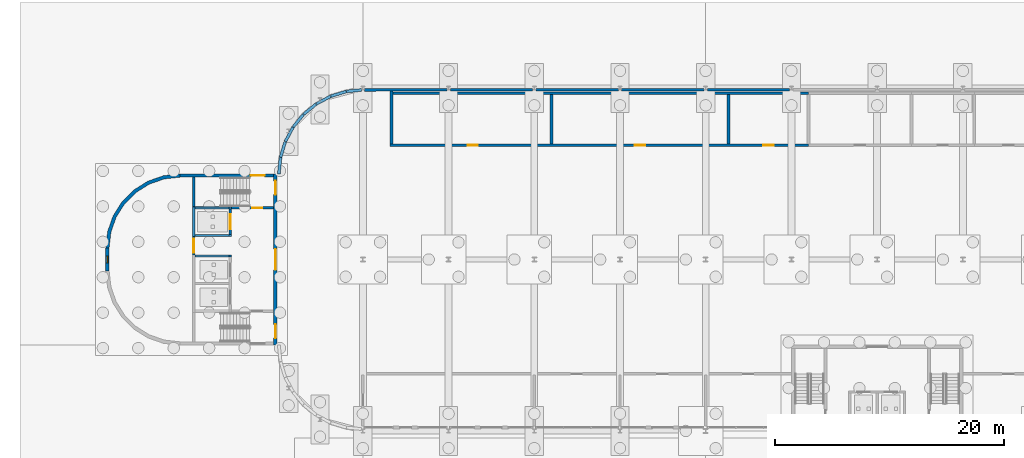
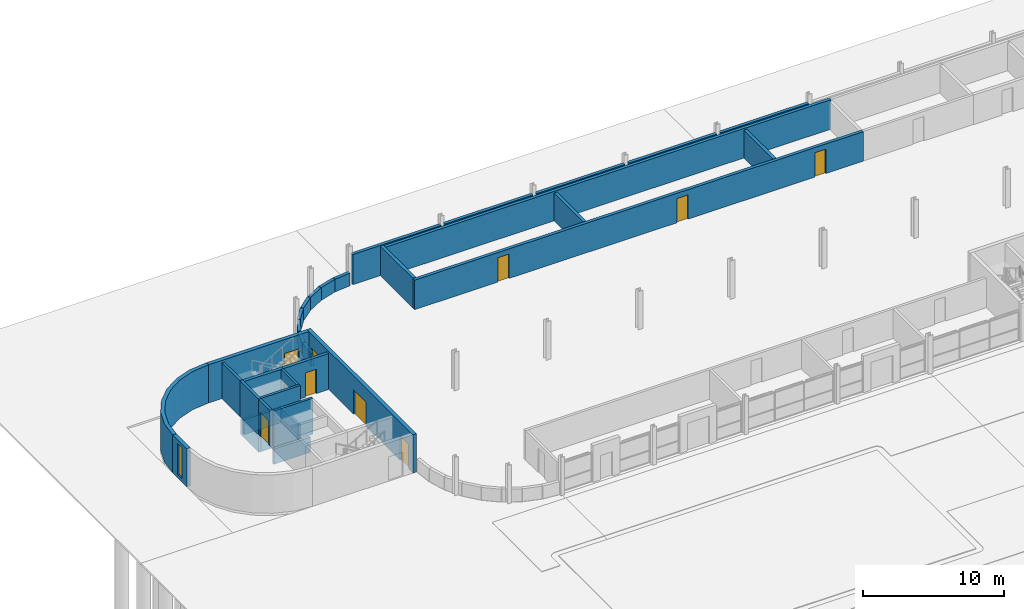
# One storey, part 93 of 130: 35 walls, 10 doors, 1 window, 11 openings.
"""IFC4 building model written with IfcOpenShell, lengths in metres."""

import ifcopenshell
import ifcopenshell.guid

model = None  # the IFC model being written
_history = None  # IfcOwnerHistory: only IFC2X3 demands one
_inside = {}  # id of a spatial element -> (the spatial element, [elements in it])
_under = {}  # id of a project, library or spatial element -> (it, [spatial elements below it])
_declared = {}  # id of a project -> (the project, [libraries it declares])
_typed = {}  # id of a type object -> (the type object, [elements of that type])
_made_of = {}  # id of a material, layer set ... -> (it, [elements and type objects made of it])


def new_model(schema):
    """Start an empty IFC model of exactly this schema.

    Asked for "IFC4X3", IfcOpenShell would pick the latest addendum, in which some entities
    have other attributes; the version numbers below select the first issue.
    IFC2X3 requires an IfcOwnerHistory on every rooted entity: one is made here for all.
    """
    global model, _history
    if schema == "IFC4X3":
        model = ifcopenshell.file(schema_version=(4, 3, 0, 0))
    else:
        model = ifcopenshell.file(schema=schema)
    _inside.clear()
    _under.clear()
    _declared.clear()
    _typed.clear()
    _made_of.clear()
    _history = None
    if model.schema == "IFC2X3":
        org = make("IfcOrganization", Name="unknown")
        user = make(
            "IfcPersonAndOrganization",
            ThePerson=make("IfcPerson", FamilyName="unknown"),
            TheOrganization=org,
        )
        app = make(
            "IfcApplication",
            ApplicationDeveloper=org,
            Version="unknown",
            ApplicationFullName="unknown",
            ApplicationIdentifier="unknown",
        )
        _history = make(
            "IfcOwnerHistory",
            OwningUser=user,
            OwningApplication=app,
            ChangeAction="ADDED",
            CreationDate=0,
        )
    return model


def make(cls, **values):
    """One entity of the class cls with the attributes given. An attribute that is None is left unset."""
    return model.create_entity(
        cls, **{name: value for name, value in values.items() if value is not None}
    )


def rooted(cls, **values):
    """An entity with a GlobalId (a new one), such as an element, a storey or a relation."""
    return make(cls, GlobalId=ifcopenshell.guid.new(), OwnerHistory=_history, **values)


def si_unit(unit_type, name, prefix=None):
    """IfcSIUnit, for example si_unit("LENGTHUNIT", "METRE", prefix="MILLI")."""
    return make("IfcSIUnit", UnitType=unit_type, Prefix=prefix, Name=name)


def assignment(units):
    """IfcUnitAssignment: the units of a project."""
    return None if units is None else make("IfcUnitAssignment", Units=units)


def point(xyz):
    """IfcCartesianPoint."""
    return None if xyz is None else make("IfcCartesianPoint", Coordinates=xyz)


def direction(xyz):
    """IfcDirection."""
    return None if xyz is None else make("IfcDirection", DirectionRatios=xyz)


def frame(location, z_axis=None, x_axis=None):
    """IfcAxis2Placement3D, a coordinate frame: its origin and axes. An axis left out is left unset."""
    return make(
        "IfcAxis2Placement3D",
        Location=point(location),
        Axis=direction(z_axis),
        RefDirection=direction(x_axis),
    )


def frame_2d(location, x_axis=None):
    """IfcAxis2Placement2D, a coordinate frame in the plane: its origin and x axis."""
    return make(
        "IfcAxis2Placement2D", Location=point(location), RefDirection=direction(x_axis)
    )


def origin():
    """The frame at (0, 0, 0) with its axes left unset."""
    return frame((0.0, 0.0, 0.0))


def place(relative_to, where):
    """IfcLocalPlacement: puts the frame where relative to a parent placement (None: the world)."""
    return make(
        "IfcLocalPlacement", PlacementRelTo=relative_to, RelativePlacement=where
    )


def context(
    kind, dimensions, precision=None, world=None, true_north=None, identifier=None
):
    """IfcGeometricRepresentationContext, for example the 3D "Model" context."""
    return make(
        "IfcGeometricRepresentationContext",
        ContextIdentifier=identifier,
        ContextType=kind,
        CoordinateSpaceDimension=dimensions,
        Precision=precision,
        WorldCoordinateSystem=world,
        TrueNorth=true_north,
    )


def subcontext(parent, identifier, kind, view, scale=None):
    """IfcGeometricRepresentationSubContext, for example "Body" below "Model"."""
    return make(
        "IfcGeometricRepresentationSubContext",
        ContextIdentifier=identifier,
        ContextType=kind,
        ParentContext=parent,
        TargetScale=scale,
        TargetView=view,
    )


def project(units=None, contexts=None):
    """IfcProject with its units and contexts."""
    return rooted(
        "IfcProject",
        Name="project",
        RepresentationContexts=contexts,
        UnitsInContext=assignment(units),
    )


def spatial(cls, under=None, at=None, **own):
    """A site, building, storey or space (cls), placed at a placement, below another one or the project."""
    s = rooted(cls, ObjectPlacement=at, **own)
    if under is not None:
        _under.setdefault(under.id(), (under, []))[1].append(s)
    return s


def polyline(points):
    """IfcPolyline through the points."""
    return make("IfcPolyline", Points=[point(p) for p in points])


def profile(cls, at=None, kind="AREA", **sizes):
    """A parametric profile (cls). Its sizes go by their IFC names, for example OverallWidth=200.0."""
    return make(cls, ProfileType=kind, Position=at, **sizes)


def rectangle(**sizes):
    """IfcRectangleProfileDef."""
    return profile("IfcRectangleProfileDef", **sizes)


def outline(outer, holes=None, kind="AREA"):
    """IfcArbitraryClosedProfileDef: a profile drawn as a closed curve; with holes, ...WithVoids."""
    if holes is None:
        return make("IfcArbitraryClosedProfileDef", ProfileType=kind, OuterCurve=outer)
    return make(
        "IfcArbitraryProfileDefWithVoids",
        ProfileType=kind,
        OuterCurve=outer,
        InnerCurves=holes,
    )


def extrude(swept, where, along, depth):
    """IfcExtrudedAreaSolid: the profile swept, set in the frame where, extruded along a direction by depth."""
    return make(
        "IfcExtrudedAreaSolid",
        SweptArea=swept,
        Position=where,
        ExtrudedDirection=direction(along),
        Depth=depth,
    )


def shape(context_of_items, identifier, shape_type, items):
    """IfcShapeRepresentation: the items that make up one representation, for example the "Body"."""
    return make(
        "IfcShapeRepresentation",
        ContextOfItems=context_of_items,
        RepresentationIdentifier=identifier,
        RepresentationType=shape_type,
        Items=items,
    )


def material(Name=None, Category=None):
    """IfcMaterial."""
    return make("IfcMaterial", Name=Name, Category=Category)


def layer(
    of_material, thickness, ventilated=None, Name=None, Category=None, Priority=None
):
    """IfcMaterialLayer: one layer of a wall or slab, of a material (None: an air gap)."""
    return make(
        "IfcMaterialLayer",
        Material=of_material,
        LayerThickness=thickness,
        IsVentilated=ventilated,
        Name=Name,
        Category=Category,
        Priority=Priority,
    )


def layer_set(layers, Name=None):
    """IfcMaterialLayerSet."""
    return make("IfcMaterialLayerSet", MaterialLayers=layers, LayerSetName=Name)


def made_of(thing, what):
    """Note that an element or type object is made of a material, layer set ...; save() writes the relation."""
    if what is not None:
        _made_of.setdefault(what.id(), (what, []))[1].append(thing)
    return thing


def type_object(cls, material=None, **own):
    """A type object (cls), such as IfcWallType, which elements share."""
    return made_of(rooted(cls, **own), material)


def element(
    cls,
    number,
    at=None,
    inside=None,
    cuts=None,
    type_object=None,
    material=None,
    context=None,
    identifier="Body",
    shape_type=None,
    held_by="IfcProductDefinitionShape",
    body=None,
    shapes=None,
    **own,
):
    """One element of the class cls, such as IfcWall. Its Tag is "e" and its number.

    at: its placement. inside: the storey or other place that contains it. cuts: it is an
    opening in that element (IfcRelVoidsElement). A single representation is given by context,
    identifier, shape_type and body (its items); several are given by shapes. held_by: the class
    of the entity that holds the representations. save() writes the other relations.
    """
    e = rooted(cls, Tag="e%d" % number, ObjectPlacement=at, **own)
    if body is not None:
        shapes = [shape(context, identifier, shape_type, body)]
    if shapes is not None:
        e.Representation = make(held_by, Representations=shapes)
    if inside is not None:
        _inside.setdefault(inside.id(), (inside, []))[1].append(e)
    if cuts is not None:
        rooted(
            "IfcRelVoidsElement", RelatingBuildingElement=cuts, RelatedOpeningElement=e
        )
    if type_object is not None:
        _typed.setdefault(type_object.id(), (type_object, []))[1].append(e)
    return made_of(e, material)


def fill(opening, filler):
    """IfcRelFillsElement: the door or window that sits in an opening."""
    return rooted(
        "IfcRelFillsElement",
        RelatingOpeningElement=opening,
        RelatedBuildingElement=filler,
    )


def aggregate(whole, parts):
    """IfcRelAggregates: a whole, such as a stair, and the parts it consists of."""
    return rooted("IfcRelAggregates", RelatingObject=whole, RelatedObjects=parts)


def save(model, path):
    """Write the relations noted so far, then the file.

    IfcRelAggregates (storeys below a building ...), IfcRelContainedInSpatialStructure (elements
    in a storey), IfcRelDefinesByType, IfcRelAssociatesMaterial and IfcRelDeclares: one each for
    every whole, place, type object, material and project.
    """
    for whole, parts in _under.values():
        aggregate(whole, parts)
    for where, things in _inside.values():
        rooted(
            "IfcRelContainedInSpatialStructure",
            RelatedElements=things,
            RelatingStructure=where,
        )
    for kind, things in _typed.values():
        rooted("IfcRelDefinesByType", RelatedObjects=things, RelatingType=kind)
    for what, things in _made_of.values():
        rooted("IfcRelAssociatesMaterial", RelatedObjects=things, RelatingMaterial=what)
    for by, libraries in _declared.values():
        rooted("IfcRelDeclares", RelatingContext=by, RelatedDefinitions=libraries)
    model.write(path)


model = new_model("IFC4")

# Units and contexts
model_context = context("Model", 3, precision=1e-05, world=origin(), true_north=direction((0.0, 1.0)))
body_context = subcontext(model_context, "Body", "Model", "MODEL_VIEW")
ifc_project = project(units=[si_unit("LENGTHUNIT", "METRE"), si_unit("AREAUNIT", "SQUARE_METRE"), si_unit("VOLUMEUNIT", "CUBIC_METRE"), si_unit("PLANEANGLEUNIT", "RADIAN"), si_unit("MASSUNIT", "GRAM", prefix="KILO")], contexts=[model_context])

# Site, building, storey
site_placement = place(None, origin())
site = spatial("IfcSite", under=ifc_project, at=site_placement, CompositionType="ELEMENT")
building_placement = place(site_placement, origin())
building = spatial("IfcBuilding", under=site, at=building_placement, Name="Parallax Yard Mobility Hub", CompositionType="ELEMENT")
storey_placement = place(building_placement, origin())
storey = spatial("IfcBuildingStorey", under=building, at=storey_placement, Name="L00", CompositionType="ELEMENT", Elevation=0.0)

# Wall, openings, doors
ifc_material_1 = material(Name="Concrete fc' 35 MPa", Category="concrete")
ifc_layer_1 = layer(ifc_material_1, 0.300048828125)
ifc_layer_set_1 = layer_set([ifc_layer_1], Name="Concrete fc' 35 MPa core wall 300")
wall_type_1 = type_object("IfcWallType", Name="Concrete fc' 35 MPa core wall 300", PredefinedType="SHEAR", material=ifc_layer_set_1)
wall_1_placement = place(storey_placement, frame((22.35009765625, 135.0, 0.0), z_axis=(0.0, 0.0, 1.0), x_axis=(0.0, -1.0, 0.0)))
wall_1 = element("IfcWall", 1, at=wall_1_placement, inside=storey, type_object=wall_type_1, Name="Core C-W entry wall level L00", PredefinedType="SHEAR", context=body_context, shape_type="SweptSolid", body=[
    extrude(rectangle(XDim=15.0, YDim=0.300048828125, at=frame_2d((7.5, 0.0))), origin(), (0.0, 0.0, 1.0), 3.300048828125),
])
opening_1_placement = place(wall_1_placement, frame((13.179931640625, 0.0, 0.0)))
opening_1 = element("IfcOpeningElement", 2, at=opening_1_placement, cuts=wall_1, Name="Opening L00-D700", PredefinedType="OPENING", context=body_context, shape_type="SweptSolid", body=[
    extrude(rectangle(XDim=1.199951171875, YDim=2.10009765625, at=frame_2d((0.60009765625, 1.050048828125))), frame((0.0, 0.16015625, 0.0), z_axis=(0.0, -1.0, 0.0), x_axis=(1.0, 0.0, 0.0)), (0.0, 0.0, 1.0), 0.320068359375),
])
opening_2_placement = place(wall_1_placement, frame((0.6201171875, 0.0, 0.0)))
opening_2 = element("IfcOpeningElement", 3, at=opening_2_placement, cuts=wall_1, Name="Opening L00-D701", PredefinedType="OPENING", context=body_context, shape_type="SweptSolid", body=[
    extrude(rectangle(XDim=1.199951171875, YDim=2.10009765625, at=frame_2d((0.60009765625, 1.050048828125))), frame((0.0, 0.16015625, 0.0), z_axis=(0.0, -1.0, 0.0), x_axis=(1.0, 0.0, 0.0)), (0.0, 0.0, 1.0), 0.320068359375),
])
opening_3_placement = place(wall_1_placement, frame((6.60009765625, 0.0, 0.0)))
opening_3 = element("IfcOpeningElement", 4, at=opening_3_placement, cuts=wall_1, Name="Opening L00-D702", PredefinedType="OPENING", context=body_context, shape_type="SweptSolid", body=[
    extrude(rectangle(XDim=1.800048828125, YDim=2.10009765625, at=frame_2d((0.89990234375, 1.050048828125))), frame((0.0, 0.16015625, 0.0), z_axis=(0.0, -1.0, 0.0), x_axis=(1.0, 0.0, 0.0)), (0.0, 0.0, 1.0), 0.320068359375),
])
ifc_material_2 = material(Name="Hollow metal steel door and frame", Category="steel")
door_type_1 = type_object("IfcDoorType", Name="Core door 1200 x 2100 FD90", OperationType="NOTDEFINED", PredefinedType="DOOR", material=ifc_material_2)
door_1_placement = place(opening_1_placement, origin())
door_1 = element("IfcDoor", 5, at=door_1_placement, inside=storey, type_object=door_type_1, Name="Stair deck door L00-D700, core C-W level L00", OperationType="SINGLE_SWING_RIGHT", OverallHeight=2.10009765625, OverallWidth=1.199951171875, PredefinedType="DOOR", context=body_context, shape_type="SweptSolid", body=[
    extrude(rectangle(XDim=1.199951171875, YDim=2.10009765625, at=frame_2d((0.60009765625, 1.050048828125))), frame((0.0, 0.02490234375, 0.0), z_axis=(0.0, -1.0, 0.0), x_axis=(1.0, 0.0, 0.0)), (0.0, 0.0, 1.0), 0.050048828125),
])
fill(opening_1, door_1)
door_2_placement = place(opening_2_placement, origin())
door_2 = element("IfcDoor", 6, at=door_2_placement, inside=storey, type_object=door_type_1, Name="Stair deck door L00-D701, core C-W level L00", OperationType="SINGLE_SWING_LEFT", OverallHeight=2.10009765625, OverallWidth=1.199951171875, PredefinedType="DOOR", context=body_context, shape_type="SweptSolid", body=[
    extrude(rectangle(XDim=1.199951171875, YDim=2.10009765625, at=frame_2d((0.60009765625, 1.050048828125))), frame((0.0, 0.02490234375, 0.0), z_axis=(0.0, -1.0, 0.0), x_axis=(1.0, 0.0, 0.0)), (0.0, 0.0, 1.0), 0.050048828125),
])
fill(opening_2, door_2)
door_type_2 = type_object("IfcDoorType", Name="Core double door 1800 x 2100 FD90", OperationType="NOTDEFINED", PredefinedType="DOOR", material=ifc_material_2)
door_3_placement = place(opening_3_placement, origin())
door_3 = element("IfcDoor", 7, at=door_3_placement, inside=storey, type_object=door_type_2, Name="Lift lobby door L00-D702, core C-W level L00", OperationType="DOUBLE_DOOR_SINGLE_SWING", OverallHeight=2.10009765625, OverallWidth=1.800048828125, PredefinedType="DOOR", context=body_context, shape_type="SweptSolid", body=[
    extrude(rectangle(XDim=1.800048828125, YDim=2.10009765625, at=frame_2d((0.89990234375, 1.050048828125))), frame((0.0, 0.02490234375, 0.0), z_axis=(0.0, -1.0, 0.0), x_axis=(1.0, 0.0, 0.0)), (0.0, 0.0, 1.0), 0.050048828125),
])
fill(opening_3, door_3)

# Wall, opening, window
wall_2_placement = place(storey_placement, frame((7.64990234375, 126.5, 0.0), z_axis=(0.0, 0.0, 1.0), x_axis=(0.0, 1.0, 0.0)))
wall_2 = element("IfcWall", 8, at=wall_2_placement, inside=storey, type_object=wall_type_1, Name="Core C-W back wall level L00", PredefinedType="SHEAR", context=body_context, shape_type="SweptSolid", body=[
    extrude(rectangle(XDim=2.0, YDim=0.300048828125, at=frame_2d((1.0, 0.0))), origin(), (0.0, 0.0, 1.0), 3.300048828125),
])
opening_4_placement = place(wall_2_placement, frame((0.699951171875, 0.0, 0.300048828125)))
opening_4 = element("IfcOpeningElement", 9, at=opening_4_placement, cuts=wall_2, Name="Opening CW-S1", PredefinedType="OPENING", context=body_context, shape_type="SweptSolid", body=[
    extrude(rectangle(XDim=0.60009765625, YDim=2.699951171875, at=frame_2d((0.300048828125, 1.35009765625))), frame((0.0, 0.16015625, 0.0), z_axis=(0.0, -1.0, 0.0), x_axis=(1.0, 0.0, 0.0)), (0.0, 0.0, 1.0), 0.320068359375),
])
ifc_material_3 = material(Name="Fire-resisting glazing in a steel frame", Category="steel")
window_type = type_object("IfcWindowType", Name="Core slot window 600 x 2700", PartitioningType="SINGLE_PANEL", PredefinedType="WINDOW", material=ifc_material_3)
window_placement = place(opening_4_placement, origin())
window = element("IfcWindow", 10, at=window_placement, inside=storey, type_object=window_type, Name="Glazed slot 1, core C-W level L00", OverallHeight=2.699951171875, OverallWidth=0.60009765625, PartitioningType="SINGLE_PANEL", PredefinedType="WINDOW", context=body_context, shape_type="SweptSolid", body=[
    extrude(rectangle(XDim=0.60009765625, YDim=2.699951171875, at=frame_2d((0.300048828125, 1.35009765625))), frame((0.0, 0.030029296875, 0.0), z_axis=(0.0, -1.0, 0.0), x_axis=(1.0, 0.0, 0.0)), (0.0, 0.0, 1.0), 0.06005859375),
])
fill(opening_4, window)

# Wall, opening, door
wall_3_placement = place(storey_placement, frame((14.0, 134.85009765625, 0.0), z_axis=(0.0, 0.0, 1.0), x_axis=(1.0, 0.0, 0.0)))
wall_3 = element("IfcWall", 11, at=wall_3_placement, inside=storey, type_object=wall_type_1, Name="Core C-W east-side end wall level L00", PredefinedType="SHEAR", context=body_context, shape_type="SweptSolid", body=[
    extrude(rectangle(XDim=8.199951171875, YDim=0.300048828125, at=frame_2d((4.10009765625, 0.0))), origin(), (0.0, 0.0, 1.0), 3.300048828125),
])
opening_5_placement = place(wall_3_placement, frame((6.199951171875, 0.0, 0.0)))
opening_5 = element("IfcOpeningElement", 12, at=opening_5_placement, cuts=wall_3, Name="Opening L00-D710", PredefinedType="OPENING", context=body_context, shape_type="SweptSolid", body=[
    extrude(rectangle(XDim=1.199951171875, YDim=2.10009765625, at=frame_2d((0.60009765625, 1.050048828125))), frame((0.0, 0.16015625, 0.0), z_axis=(0.0, -1.0, 0.0), x_axis=(1.0, 0.0, 0.0)), (0.0, 0.0, 1.0), 0.320068359375),
])
door_4_placement = place(opening_5_placement, origin())
door_4 = element("IfcDoor", 13, at=door_4_placement, inside=storey, type_object=door_type_1, Name="Stair exit door L00-D710, core C-W level L00", OperationType="SINGLE_SWING_RIGHT", OverallHeight=2.10009765625, OverallWidth=1.199951171875, PredefinedType="DOOR", context=body_context, shape_type="SweptSolid", body=[
    extrude(rectangle(XDim=1.199951171875, YDim=2.10009765625, at=frame_2d((0.60009765625, 1.050048828125))), frame((0.0, 0.02490234375, 0.0), z_axis=(0.0, -1.0, 0.0), x_axis=(1.0, 0.0, 0.0)), (0.0, 0.0, 1.0), 0.050048828125),
])
fill(opening_5, door_4)

# Wall
wall_4_placement = place(storey_placement, origin())
element("IfcWall", 14, at=wall_4_placement, inside=storey, type_object=wall_type_1, Name="Core C-W rounded corner east level L00", PredefinedType="SHEAR", context=body_context, shape_type="SweptSolid", body=[
    extrude(outline(polyline([(14.0, 135.0), (12.5537109375, 134.8369140625), (11.1796875, 134.356201171875), (9.947265625, 133.581787109375), (8.918212890625, 132.552734375), (8.143798828125, 131.3203125), (7.6630859375, 129.9462890625), (7.5, 128.5), (7.800048828125, 128.5), (7.955322265625, 129.879638671875), (8.4140625, 131.190185546875), (9.152587890625, 132.365478515625), (10.134521484375, 133.347412109375), (11.309814453125, 134.0859375), (12.620361328125, 134.544677734375), (14.0, 134.699951171875), (14.0, 135.0)])), origin(), (0.0, 0.0, 1.0), 3.300048828125),
])

# Wall, opening, door
ifc_layer_2 = layer(ifc_material_1, 0.199951171875)
ifc_layer_set_2 = layer_set([ifc_layer_2], Name="Concrete fc' 35 MPa internal core wall 200")
wall_type_2 = type_object("IfcWallType", Name="Concrete fc' 35 MPa internal core wall 200", PredefinedType="STANDARD", material=ifc_layer_set_2)
wall_5_placement = place(storey_placement, frame((18.39990234375, 129.699951171875, 0.0), z_axis=(0.0, 0.0, 1.0), x_axis=(0.0, 1.0, 0.0)))
wall_5 = element("IfcWall", 15, at=wall_5_placement, inside=storey, type_object=wall_type_2, Name="Core C-W lift front 2 part 2 level L00", PredefinedType="STANDARD", context=body_context, shape_type="SweptSolid", body=[
    extrude(rectangle(XDim=2.199951171875, YDim=0.199951171875, at=frame_2d((1.10009765625, 0.0))), origin(), (0.0, 0.0, 1.0), 3.10009765625),
])
opening_6_placement = place(wall_5_placement, frame((0.449951171875, 0.0, 0.0)))
opening_6 = element("IfcOpeningElement", 16, at=opening_6_placement, cuts=wall_5, Name="Opening L00-D707", PredefinedType="OPENING", context=body_context, shape_type="SweptSolid", body=[
    extrude(rectangle(XDim=1.300048828125, YDim=2.10009765625, at=frame_2d((0.64990234375, 1.050048828125))), frame((0.0, 0.10986328125, 0.0), z_axis=(0.0, -1.0, 0.0), x_axis=(1.0, 0.0, 0.0)), (0.0, 0.0, 1.0), 0.219970703125),
])
ifc_material_4 = material(Name="Stainless steel sliding door and frame", Category="steel")
door_type_3 = type_object("IfcDoorType", Name="Goods lift landing door 1300 x 2100 FD90", OperationType="DOUBLE_DOOR_SLIDING", PredefinedType="DOOR", material=ifc_material_4)
door_5_placement = place(opening_6_placement, origin())
door_5 = element("IfcDoor", 17, at=door_5_placement, inside=storey, type_object=door_type_3, Name="Lift landing door L00-D707, core C-W level L00", OperationType="DOUBLE_DOOR_SLIDING", OverallHeight=2.10009765625, OverallWidth=1.300048828125, PredefinedType="DOOR", context=body_context, shape_type="SweptSolid", body=[
    extrude(rectangle(XDim=1.300048828125, YDim=2.10009765625, at=frame_2d((0.64990234375, 1.050048828125))), frame((0.0, 0.02490234375, 0.0), z_axis=(0.0, -1.0, 0.0), x_axis=(1.0, 0.0, 0.0)), (0.0, 0.0, 1.0), 0.050048828125),
])
fill(opening_6, door_5)

# Walls
for number, where, z_axis, x_axis, name in (
    (18, (18.5, 127.800048828125, 0.0), (0.0, 0.0, 1.0), (-1.0, 0.0, 0.0), "Core C-W lift wall 2 part 2 level L00"),
    (19, (18.5, 129.60009765625, 0.0), (0.0, 0.0, 1.0), (-1.0, 0.0, 0.0), "Core C-W lift wall 3 part 3 level L00"),
):
    element("IfcWall", number, at=place(storey_placement, frame(where, z_axis=z_axis, x_axis=x_axis)), inside=storey, type_object=wall_type_2, Name=name, PredefinedType="STANDARD", context=body_context, shape_type="SweptSolid", body=[
        extrude(rectangle(XDim=3.199951171875, YDim=0.199951171875, at=frame_2d((1.60009765625, 0.0))), origin(), (0.0, 0.0, 1.0), 3.10009765625),
    ])

# Wall, opening, door
wall_6_placement = place(storey_placement, frame((15.199951171875, 127.89990234375, 0.0), z_axis=(0.0, 0.0, 1.0), x_axis=(0.0, 1.0, 0.0)))
wall_6 = element("IfcWall", 20, at=wall_6_placement, inside=storey, type_object=wall_type_2, Name="Core C-W plant wall 3 part 3 level L00", PredefinedType="STANDARD", context=body_context, shape_type="SweptSolid", body=[
    extrude(rectangle(XDim=1.60009765625, YDim=0.199951171875, at=frame_2d((0.800048828125, 0.0))), origin(), (0.0, 0.0, 1.0), 3.10009765625),
])
opening_7_placement = place(wall_6_placement, frame((0.199951171875, 0.0, 0.0)))
opening_7 = element("IfcOpeningElement", 21, at=opening_7_placement, cuts=wall_6, Name="Opening L00-D708", PredefinedType="OPENING", context=body_context, shape_type="SweptSolid", body=[
    extrude(rectangle(XDim=1.199951171875, YDim=2.10009765625, at=frame_2d((0.60009765625, 1.050048828125))), frame((0.0, 0.10986328125, 0.0), z_axis=(0.0, -1.0, 0.0), x_axis=(1.0, 0.0, 0.0)), (0.0, 0.0, 1.0), 0.219970703125),
])
door_6_placement = place(opening_7_placement, origin())
door_6 = element("IfcDoor", 22, at=door_6_placement, inside=storey, type_object=door_type_1, Name="Plant room door L00-D708, core C-W level L00", OperationType="SINGLE_SWING_RIGHT", OverallHeight=2.10009765625, OverallWidth=1.199951171875, PredefinedType="DOOR", context=body_context, shape_type="SweptSolid", body=[
    extrude(rectangle(XDim=1.199951171875, YDim=2.10009765625, at=frame_2d((0.60009765625, 1.050048828125))), frame((0.0, 0.02490234375, 0.0), z_axis=(0.0, -1.0, 0.0), x_axis=(1.0, 0.0, 0.0)), (0.0, 0.0, 1.0), 0.050048828125),
])
fill(opening_7, door_6)

# Walls
wall_7_placement = place(storey_placement, frame((15.199951171875, 129.5, 0.0), z_axis=(0.0, 0.0, 1.0), x_axis=(0.0, 1.0, 0.0)))
element("IfcWall", 23, at=wall_7_placement, inside=storey, type_object=wall_type_2, Name="Core C-W plant wall 4 part 4 level L00", PredefinedType="STANDARD", context=body_context, shape_type="SweptSolid", body=[
    extrude(rectangle(XDim=2.64990234375, YDim=0.199951171875, at=frame_2d((1.324951171875, 0.0))), origin(), (0.0, 0.0, 1.0), 3.10009765625),
])
wall_8_placement = place(storey_placement, frame((15.199951171875, 132.14990234375, 0.0), z_axis=(0.0, 0.0, 1.0), x_axis=(0.0, 1.0, 0.0)))
element("IfcWall", 24, at=wall_8_placement, inside=storey, type_object=wall_type_2, Name="Core C-W plant wall 5 part 5 level L00", PredefinedType="STANDARD", context=body_context, shape_type="SweptSolid", body=[
    extrude(rectangle(XDim=2.550048828125, YDim=0.199951171875, at=frame_2d((1.27490234375, 0.0))), origin(), (0.0, 0.0, 1.0), 3.10009765625),
])
wall_9_placement = place(storey_placement, frame((18.300048828125, 127.800048828125, -1.5), z_axis=(0.0, 0.0, 1.0), x_axis=(-1.0, 0.0, 0.0)))
element("IfcWall", 25, at=wall_9_placement, inside=storey, type_object=wall_type_2, Name="Core C-W lift pit wall side 3 (shaft group 1)", PredefinedType="STANDARD", context=body_context, shape_type="SweptSolid", body=[
    extrude(rectangle(XDim=3.0, YDim=0.199951171875, at=frame_2d((1.5, 0.0))), origin(), (0.0, 0.0, 1.0), 1.300048828125),
])
wall_10_placement = place(storey_placement, frame((18.39990234375, 129.5, -1.5), z_axis=(0.0, 0.0, 1.0), x_axis=(0.0, 1.0, 0.0)))
element("IfcWall", 26, at=wall_10_placement, inside=storey, type_object=wall_type_2, Name="Core C-W lift pit wall front (shaft group 2)", PredefinedType="STANDARD", context=body_context, shape_type="SweptSolid", body=[
    extrude(rectangle(XDim=2.60009765625, YDim=0.199951171875, at=frame_2d((1.300048828125, 0.0))), origin(), (0.0, 0.0, 1.0), 1.300048828125),
])
for number, where, z_axis, x_axis, name in (
    (27, (18.300048828125, 129.60009765625, -1.5), (0.0, 0.0, 1.0), (-1.0, 0.0, 0.0), "Core C-W lift pit wall side 1 (shaft group 2)"),
    (28, (18.300048828125, 132.0, -1.5), (0.0, 0.0, 1.0), (-1.0, 0.0, 0.0), "Core C-W lift pit wall side 2 (shaft group 2)"),
):
    element("IfcWall", number, at=place(storey_placement, frame(where, z_axis=z_axis, x_axis=x_axis)), inside=storey, type_object=wall_type_2, Name=name, PredefinedType="STANDARD", context=body_context, shape_type="SweptSolid", body=[
        extrude(rectangle(XDim=3.0, YDim=0.199951171875, at=frame_2d((1.5, 0.0))), origin(), (0.0, 0.0, 1.0), 1.300048828125),
    ])
wall_11_placement = place(storey_placement, frame((15.199951171875, 129.5, -1.5), z_axis=(0.0, 0.0, 1.0), x_axis=(0.0, 1.0, 0.0)))
element("IfcWall", 29, at=wall_11_placement, inside=storey, type_object=wall_type_2, Name="Core C-W lift pit wall back (shaft group 2)", PredefinedType="STANDARD", context=body_context, shape_type="SweptSolid", body=[
    extrude(rectangle(XDim=2.60009765625, YDim=0.199951171875, at=frame_2d((1.300048828125, 0.0))), origin(), (0.0, 0.0, 1.0), 1.300048828125),
])

# Wall, opening, door
ifc_layer_3 = layer(ifc_material_1, 0.25)
ifc_layer_set_3 = layer_set([ifc_layer_3], Name="Concrete fc' 35 MPa stair enclosure wall 250")
wall_type_3 = type_object("IfcWallType", Name="Concrete fc' 35 MPa stair enclosure wall 250", PredefinedType="STANDARD", material=ifc_layer_set_3)
wall_12_placement = place(storey_placement, frame((18.5, 132.02490234375, 0.0), z_axis=(0.0, 0.0, 1.0), x_axis=(1.0, 0.0, 0.0)))
wall_12 = element("IfcWall", 30, at=wall_12_placement, inside=storey, type_object=wall_type_3, Name="Core C-W stair 2 partition 1 part 1 level L00", PredefinedType="STANDARD", context=body_context, shape_type="SweptSolid", body=[
    extrude(rectangle(XDim=3.699951171875, YDim=0.25, at=frame_2d((1.85009765625, 0.0))), origin(), (0.0, 0.0, 1.0), 3.10009765625),
])
opening_8_placement = place(wall_12_placement, frame((1.800048828125, 0.0, 0.0)))
opening_8 = element("IfcOpeningElement", 31, at=opening_8_placement, cuts=wall_12, Name="Opening L00-D704", PredefinedType="OPENING", context=body_context, shape_type="SweptSolid", body=[
    extrude(rectangle(XDim=0.89990234375, YDim=2.10009765625, at=frame_2d((0.449951171875, 1.050048828125))), frame((0.0, 0.135009765625, 0.0), z_axis=(0.0, -1.0, 0.0), x_axis=(1.0, 0.0, 0.0)), (0.0, 0.0, 1.0), 0.27001953125),
])
door_type_4 = type_object("IfcDoorType", Name="Core door 900 x 2100 FD90", OperationType="NOTDEFINED", PredefinedType="DOOR", material=ifc_material_2)
door_7_placement = place(opening_8_placement, origin())
door_7 = element("IfcDoor", 32, at=door_7_placement, inside=storey, type_object=door_type_4, Name="Stair lobby door L00-D704, core C-W level L00", OperationType="SINGLE_SWING_RIGHT", OverallHeight=2.10009765625, OverallWidth=0.89990234375, PredefinedType="DOOR", context=body_context, shape_type="SweptSolid", body=[
    extrude(rectangle(XDim=0.89990234375, YDim=2.10009765625, at=frame_2d((0.449951171875, 1.050048828125))), frame((0.0, 0.02490234375, 0.0), z_axis=(0.0, -1.0, 0.0), x_axis=(1.0, 0.0, 0.0)), (0.0, 0.0, 1.0), 0.050048828125),
])
fill(opening_8, door_7)

# Walls
wall_13_placement = place(storey_placement, frame((18.5, 132.02490234375, 0.0), z_axis=(0.0, 0.0, 1.0), x_axis=(-1.0, 0.0, 0.0)))
element("IfcWall", 33, at=wall_13_placement, inside=storey, type_object=wall_type_3, Name="Core C-W stair 2 partition 2 part 2 level L00", PredefinedType="STANDARD", context=body_context, shape_type="SweptSolid", body=[
    extrude(rectangle(XDim=3.199951171875, YDim=0.25, at=frame_2d((1.60009765625, 0.0))), origin(), (0.0, 0.0, 1.0), 3.10009765625),
])
ifc_layer_4 = layer(ifc_material_1, 0.25)
ifc_layer_set_4 = layer_set([ifc_layer_4], Name="Deck-edge barrier wall, Concrete fc' 35 MPa precast, 250")
wall_type_4 = type_object("IfcWallType", Name="Deck-edge barrier wall, Concrete fc' 35 MPa precast, 250", PredefinedType="SOLIDWALL", material=ifc_layer_set_4)
wall_14_placement = place(storey_placement, frame((29.881103515625, 142.336181640625, 0.0), z_axis=(0.0, 0.0, 1.0), x_axis=(-0.995173200546, -0.098134096598, 0.0)))
element("IfcWall", 34, at=wall_14_placement, inside=storey, type_object=wall_type_4, Name="Deck-edge barrier wall bay 70-1 level L00", PredefinedType="SOLIDWALL", context=body_context, shape_type="SweptSolid", body=[
    extrude(rectangle(XDim=1.30615234375, YDim=0.25, at=frame_2d((0.653076171875, 0.0))), origin(), (0.0, 0.0, 1.0), 1.10009765625),
])
wall_15_placement = place(storey_placement, frame((28.552978515625, 142.202392578125, 0.0), z_axis=(0.0, 0.0, 1.0), x_axis=(-0.956964711872, -0.290204307741, 0.0)))
element("IfcWall", 35, at=wall_15_placement, inside=storey, type_object=wall_type_4, Name="Deck-edge barrier wall bay 70-2 level L00", PredefinedType="SOLIDWALL", context=body_context, shape_type="SweptSolid", body=[
    extrude(rectangle(XDim=1.410888671875, YDim=0.25, at=frame_2d((0.70556640625, 0.0))), origin(), (0.0, 0.0, 1.0), 1.10009765625),
])
for number, where, z_axis, x_axis, name in (
    (36, (27.176513671875, 141.781982421875, 0.0), (0.0, 0.0, 1.0), (-0.88198870446, -0.471270543536, 0.0), "Deck-edge barrier wall bay 70-3 level L00"),
    (37, (25.908203125, 141.10107421875, 0.0), (0.0, 0.0, 1.0), (-0.773232158725, -0.634123039097, 0.0), "Deck-edge barrier wall bay 70-4 level L00"),
):
    element("IfcWall", number, at=place(storey_placement, frame(where, z_axis=z_axis, x_axis=x_axis)), inside=storey, type_object=wall_type_4, Name=name, PredefinedType="SOLIDWALL", context=body_context, shape_type="SweptSolid", body=[
        extrude(rectangle(XDim=1.4111328125, YDim=0.25, at=frame_2d((0.70556640625, 0.0))), origin(), (0.0, 0.0, 1.0), 1.10009765625),
    ])
for number, where, z_axis, x_axis, name in (
    (38, (24.796875, 140.18603515625, 0.0), (0.0, 0.0, 1.0), (-0.634499549772, -0.772923231206, 0.0), "Deck-edge barrier wall bay 70-5 level L00"),
    (39, (23.885498046875, 139.07177734375, 0.0), (0.0, 0.0, 1.0), (-0.471683538305, -0.881767905796, 0.0), "Deck-edge barrier wall bay 70-6 level L00"),
):
    element("IfcWall", number, at=place(storey_placement, frame(where, z_axis=z_axis, x_axis=x_axis)), inside=storey, type_object=wall_type_4, Name=name, PredefinedType="SOLIDWALL", context=body_context, shape_type="SweptSolid", body=[
        extrude(rectangle(XDim=1.410888671875, YDim=0.25, at=frame_2d((0.70556640625, 0.0))), origin(), (0.0, 0.0, 1.0), 1.10009765625),
    ])
wall_16_placement = place(storey_placement, frame((23.208984375, 137.80126953125, 0.0), z_axis=(0.0, 0.0, 1.0), x_axis=(-0.290838019389, -0.956772306496, 0.0)))
element("IfcWall", 40, at=wall_16_placement, inside=storey, type_object=wall_type_4, Name="Deck-edge barrier wall bay 70-7 level L00", PredefinedType="SOLIDWALL", context=body_context, shape_type="SweptSolid", body=[
    extrude(rectangle(XDim=1.4111328125, YDim=0.25, at=frame_2d((0.70556640625, 0.0))), origin(), (0.0, 0.0, 1.0), 1.10009765625),
])
wall_17_placement = place(storey_placement, frame((22.793212890625, 136.423095703125, 0.0), z_axis=(0.0, 0.0, 1.0), x_axis=(-0.098647801521, -0.995122410186, 0.0)))
element("IfcWall", 41, at=wall_17_placement, inside=storey, type_object=wall_type_4, Name="Deck-edge barrier wall bay 70-8 level L00", PredefinedType="SOLIDWALL", context=body_context, shape_type="SweptSolid", body=[
    extrude(rectangle(XDim=1.4404296875, YDim=0.25, at=frame_2d((0.72021484375, 0.0))), origin(), (0.0, 0.0, 1.0), 1.10009765625),
])

# Wall, openings, doors
ifc_material_5 = material(Name="Fire-rated plasterboard partition, three layers each side")
ifc_layer_5 = layer(ifc_material_5, 0.25)
ifc_layer_set_5 = layer_set([ifc_layer_5], Name="Fire-rated partition 250 mm")
wall_type_5 = type_object("IfcWallType", Name="Fire-rated partition 250 mm", PredefinedType="PARTITIONING", material=ifc_layer_set_5)
wall_18_placement = place(storey_placement, frame((32.375, 137.5, 0.0), z_axis=(0.0, 0.0, 1.0), x_axis=(1.0, 0.0, 0.0)))
wall_18 = element("IfcWall", 42, at=wall_18_placement, inside=storey, type_object=wall_type_5, Name="Partition 45 level L00", PredefinedType="PARTITIONING", context=body_context, shape_type="SweptSolid", body=[
    extrude(rectangle(XDim=36.625, YDim=0.25, at=frame_2d((18.3125, 0.0))), origin(), (0.0, 0.0, 1.0), 2.548095703125),
])
opening_9_placement = place(wall_18_placement, frame((6.800048828125, 0.0, 0.0)))
opening_9 = element("IfcOpeningElement", 43, at=opening_9_placement, cuts=wall_18, Name="Opening L00-D251", PredefinedType="OPENING", context=body_context, shape_type="SweptSolid", body=[
    extrude(rectangle(XDim=0.89990234375, YDim=2.10009765625, at=frame_2d((0.449951171875, 1.050048828125))), frame((0.0, 0.135009765625, 0.0), z_axis=(0.0, -1.0, 0.0), x_axis=(1.0, 0.0, 0.0)), (0.0, 0.0, 1.0), 0.27001953125),
])
opening_10_placement = place(wall_18_placement, frame((21.413818359375, 0.0, 0.0)))
opening_10 = element("IfcOpeningElement", 44, at=opening_10_placement, cuts=wall_18, Name="Opening L00-D252", PredefinedType="OPENING", context=body_context, shape_type="SweptSolid", body=[
    extrude(rectangle(XDim=0.89990234375, YDim=2.10009765625, at=frame_2d((0.449951171875, 1.050048828125))), frame((0.0, 0.135009765625, 0.0), z_axis=(0.0, -1.0, 0.0), x_axis=(1.0, 0.0, 0.0)), (0.0, 0.0, 1.0), 0.27001953125),
])
opening_11_placement = place(wall_18_placement, frame((32.663818359375, 0.0, 0.0)))
opening_11 = element("IfcOpeningElement", 45, at=opening_11_placement, cuts=wall_18, Name="Opening L00-D253", PredefinedType="OPENING", context=body_context, shape_type="SweptSolid", body=[
    extrude(rectangle(XDim=0.89990234375, YDim=2.10009765625, at=frame_2d((0.449951171875, 1.050048828125))), frame((0.0, 0.135009765625, 0.0), z_axis=(0.0, -1.0, 0.0), x_axis=(1.0, 0.0, 0.0)), (0.0, 0.0, 1.0), 0.27001953125),
])
ifc_material_6 = material(Name="Hollow metal fire door leaf with intumescent seals")
door_type_5 = type_object("IfcDoorType", Name="Fire door 900 mm FD90", OperationType="NOTDEFINED", PredefinedType="DOOR", material=ifc_material_6)
door_8_placement = place(opening_9_placement, origin())
door_8 = element("IfcDoor", 46, at=door_8_placement, inside=storey, type_object=door_type_5, Name="Door L00-D251 Substation", OperationType="SINGLE_SWING_LEFT", OverallHeight=2.10009765625, OverallWidth=0.89990234375, PredefinedType="DOOR", context=body_context, shape_type="SweptSolid", body=[
    extrude(rectangle(XDim=0.89990234375, YDim=2.10009765625, at=frame_2d((0.449951171875, 1.050048828125))), frame((0.0, 0.02490234375, 0.0), z_axis=(0.0, -1.0, 0.0), x_axis=(1.0, 0.0, 0.0)), (0.0, 0.0, 1.0), 0.050048828125),
])
fill(opening_9, door_8)
door_9_placement = place(opening_10_placement, origin())
door_9 = element("IfcDoor", 47, at=door_9_placement, inside=storey, type_object=door_type_5, Name="Door L00-D252 Generator Room", OperationType="SINGLE_SWING_RIGHT", OverallHeight=2.10009765625, OverallWidth=0.89990234375, PredefinedType="DOOR", context=body_context, shape_type="SweptSolid", body=[
    extrude(rectangle(XDim=0.89990234375, YDim=2.10009765625, at=frame_2d((0.449951171875, 1.050048828125))), frame((0.0, 0.02490234375, 0.0), z_axis=(0.0, -1.0, 0.0), x_axis=(1.0, 0.0, 0.0)), (0.0, 0.0, 1.0), 0.050048828125),
])
fill(opening_10, door_9)
door_10_placement = place(opening_11_placement, origin())
door_10 = element("IfcDoor", 48, at=door_10_placement, inside=storey, type_object=door_type_5, Name="Door L00-D253 Fuel Store", OperationType="SINGLE_SWING_RIGHT", OverallHeight=2.10009765625, OverallWidth=0.89990234375, PredefinedType="DOOR", context=body_context, shape_type="SweptSolid", body=[
    extrude(rectangle(XDim=0.89990234375, YDim=2.10009765625, at=frame_2d((0.449951171875, 1.050048828125))), frame((0.0, 0.02490234375, 0.0), z_axis=(0.0, -1.0, 0.0), x_axis=(1.0, 0.0, 0.0)), (0.0, 0.0, 1.0), 0.050048828125),
])
fill(opening_11, door_10)

# Walls
wall_19_placement = place(storey_placement, frame((32.375, 142.050048828125, 0.0), z_axis=(0.0, 0.0, 1.0), x_axis=(1.0, 0.0, 0.0)))
element("IfcWall", 49, at=wall_19_placement, inside=storey, type_object=wall_type_5, Name="Partition 49 level L00", PredefinedType="PARTITIONING", context=body_context, shape_type="SweptSolid", body=[
    extrude(rectangle(XDim=36.625, YDim=0.25, at=frame_2d((18.3125, 0.0))), origin(), (0.0, 0.0, 1.0), 2.548095703125),
])
wall_20_placement = place(storey_placement, frame((32.5, 137.625, 0.0), z_axis=(0.0, 0.0, 1.0), x_axis=(0.0, 1.0, 0.0)))
element("IfcWall", 50, at=wall_20_placement, inside=storey, type_object=wall_type_5, Name="Partition 65 level L00", PredefinedType="PARTITIONING", context=body_context, shape_type="SweptSolid", body=[
    extrude(rectangle(XDim=4.599365234375, YDim=0.25, at=frame_2d((2.2998046875, 0.0))), origin(), (0.0, 0.0, 1.0), 2.55810546875),
])
for number, where, z_axis, x_axis, name in (
    (51, (46.5, 137.625, 0.0), (0.0, 0.0, 1.0), (0.0, 1.0, 0.0), "Partition 67 level L00"),
    (52, (62.0, 137.625, 0.0), (0.0, 0.0, 1.0), (0.0, 1.0, 0.0), "Partition 70 level L00"),
):
    element("IfcWall", number, at=place(storey_placement, frame(where, z_axis=z_axis, x_axis=x_axis)), inside=storey, type_object=wall_type_5, Name=name, PredefinedType="PARTITIONING", context=body_context, shape_type="SweptSolid", body=[
        extrude(rectangle(XDim=4.300048828125, YDim=0.25, at=frame_2d((2.14990234375, 0.0))), origin(), (0.0, 0.0, 1.0), 2.409912109375),
    ])
ifc_layer_6 = layer(ifc_material_1, 0.25)
ifc_layer_set_6 = layer_set([ifc_layer_6], Name="Ground-floor base wall, Concrete fc' 35 MPa precast, 250")
wall_type_6 = type_object("IfcWallType", Name="Ground-floor base wall, Concrete fc' 35 MPa precast, 250", PredefinedType="SOLIDWALL", material=ifc_layer_set_6)
for number, where, z_axis, x_axis, name in (
    (53, (67.347412109375, 142.351318359375, 0.0), (0.0, 0.0, 1.0), (-1.0, 0.0, 0.0), "Ground-floor base wall bay 65 level L00"),
    (54, (59.847412109375, 142.351318359375, 0.0), (0.0, 0.0, 1.0), (-1.0, 0.0, 0.0), "Ground-floor base wall bay 66 level L00"),
    (55, (52.347412109375, 142.351318359375, 0.0), (0.0, 0.0, 1.0), (-1.0, 0.0, 0.0), "Ground-floor base wall bay 67 level L00"),
    (56, (44.847412109375, 142.351318359375, 0.0), (0.0, 0.0, 1.0), (-1.0, 0.0, 0.0), "Ground-floor base wall bay 68 level L00"),
):
    element("IfcWall", number, at=place(storey_placement, frame(where, z_axis=z_axis, x_axis=x_axis)), inside=storey, type_object=wall_type_6, Name=name, PredefinedType="SOLIDWALL", context=body_context, shape_type="SweptSolid", body=[
        extrude(rectangle(XDim=7.19482421875, YDim=0.25, at=frame_2d((3.597412109375, 0.0))), origin(), (0.0, 0.0, 1.0), 2.60009765625),
    ])
wall_21_placement = place(storey_placement, frame((37.347412109375, 142.351318359375, 0.0), z_axis=(0.0, 0.0, 1.0), x_axis=(-0.999999917388, -0.000406476492, 0.0)))
element("IfcWall", 57, at=wall_21_placement, inside=storey, type_object=wall_type_6, Name="Ground-floor base wall bay 69 level L00", PredefinedType="SOLIDWALL", context=body_context, shape_type="SweptSolid", body=[
    extrude(rectangle(XDim=7.20751953125, YDim=0.25, at=frame_2d((3.603759765625, 0.0))), origin(), (0.0, 0.0, 1.0), 2.60009765625),
])

save(model, "model.ifc")
